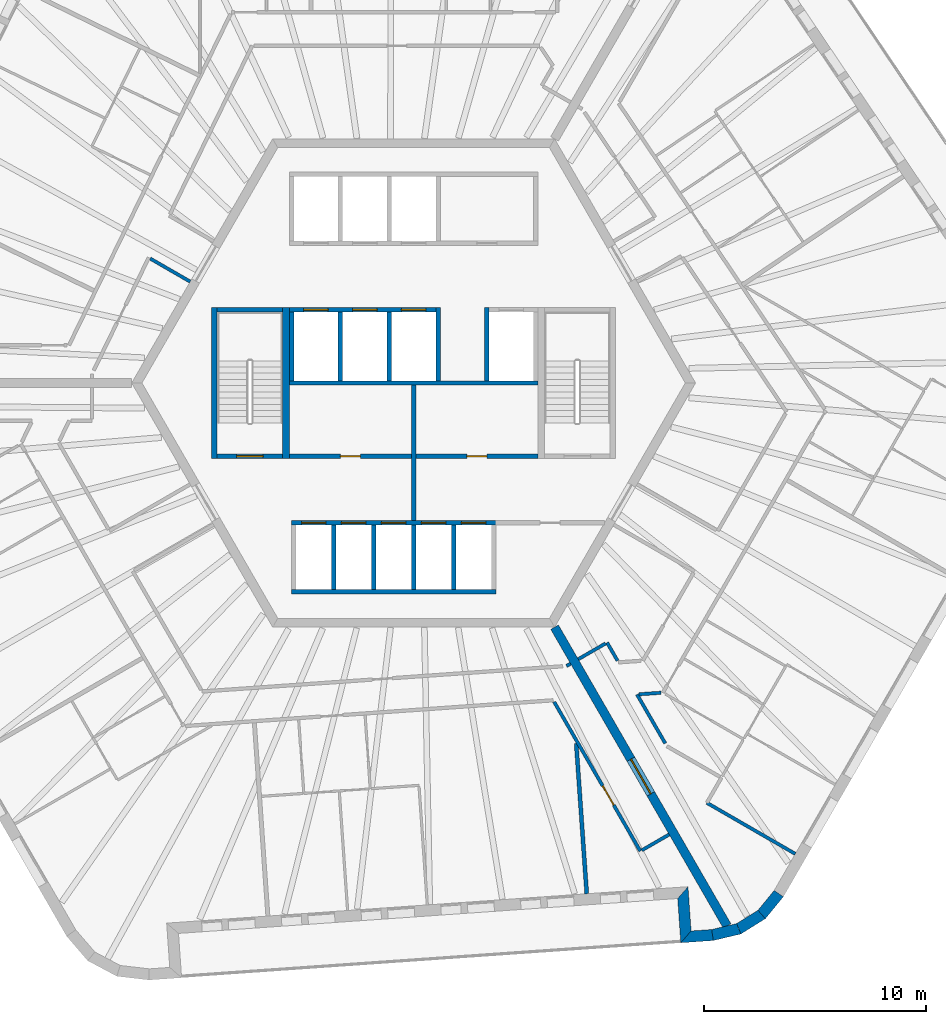
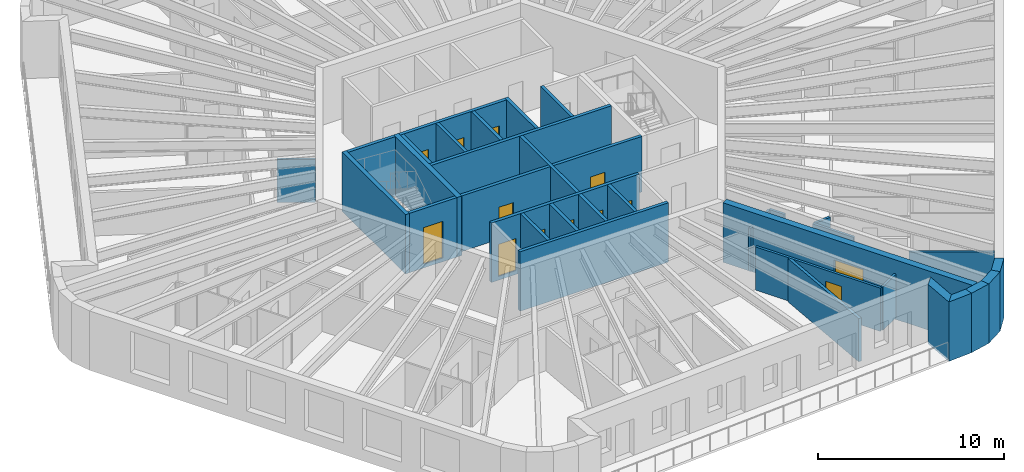
# One storey, part 5 of 12: 36 walls, 13 doors, 13 openings.
"""IFC4 building model written with IfcOpenShell, lengths in metres."""

from ifc_helpers import new_model, si_unit, direction, frame, frame_2d, origin, place, context, subcontext, project, spatial, polyline, rectangle, outline, extrude, material, layer, layer_set, type_object, element, fill, save


model = new_model("IFC4")

# Units and contexts
model_context = context("Model", 3, precision=1e-05, world=origin(), true_north=direction((0.0, 1.0)))
body_context = subcontext(model_context, "Body", "Model", "MODEL_VIEW")
ifc_project = project(units=[si_unit("LENGTHUNIT", "METRE"), si_unit("AREAUNIT", "SQUARE_METRE"), si_unit("VOLUMEUNIT", "CUBIC_METRE"), si_unit("PLANEANGLEUNIT", "RADIAN"), si_unit("MASSUNIT", "GRAM", prefix="KILO")], contexts=[model_context])

# Site, building, storey
site_placement = place(None, origin())
site = spatial("IfcSite", under=ifc_project, at=site_placement, CompositionType="ELEMENT")
building_placement = place(site_placement, origin())
building = spatial("IfcBuilding", under=site, at=building_placement, Name="Tarnside Tower", CompositionType="ELEMENT")
storey_placement = place(building_placement, frame((0.0, 0.0, 330.300048828125)))
storey = spatial("IfcBuildingStorey", under=building, at=storey_placement, Name="L80", CompositionType="ELEMENT", Elevation=330.300048828125)

# Wall, opening, door
ifc_material_1 = material(Name="Concrete C40/50", Category="concrete")
ifc_layer_1 = layer(ifc_material_1, 0.199951171875)
ifc_layer_set_1 = layer_set([ifc_layer_1], Name="Core room partition 200 C40/50")
wall_type_1 = type_object("IfcWallType", Name="Core room partition 200 C40/50", PredefinedType="PARTITIONING", material=ifc_layer_set_1)
wall_1_placement = place(storey_placement, frame((-5.60009765625, -3.300048828125, 0.0), z_axis=(0.0, 0.0, 1.0), x_axis=(1.0, 0.0, 0.0)))
wall_1 = element("IfcWall", 1, at=wall_1_placement, inside=storey, type_object=wall_type_1, Name="L80 core partition W3", PredefinedType="PARTITIONING", context=body_context, shape_type="SweptSolid", body=[
    extrude(rectangle(XDim=5.5, YDim=0.199951171875, at=frame_2d((2.75, 0.0))), origin(), (0.0, 0.0, 1.0), 3.64990234375),
])
opening_1_placement = place(wall_1_placement, frame((2.300048828125, 0.0, 0.0)))
opening_1 = element("IfcOpeningElement", 2, at=opening_1_placement, cuts=wall_1, Name="Opening CD-room", PredefinedType="OPENING", context=body_context, shape_type="SweptSolid", body=[
    extrude(rectangle(XDim=0.89990234375, YDim=2.10009765625, at=frame_2d((0.449951171875, 1.050048828125))), frame((0.0, 0.10986328125, 0.0), z_axis=(0.0, -1.0, 0.0), x_axis=(1.0, 0.0, 0.0)), (0.0, 0.0, 1.0), 0.219970703125),
])
ifc_material_2 = material(Name="Steel fire door", Category="steel")
door_type_1 = type_object("IfcDoorType", Name="Room door FD60 900x2100", OperationType="NOTDEFINED", PredefinedType="DOOR", material=ifc_material_2)
door_1_placement = place(opening_1_placement, origin())
door_1 = element("IfcDoor", 3, at=door_1_placement, inside=storey, type_object=door_type_1, Name="L80 core room door W3D", OperationType="SINGLE_SWING_LEFT", OverallHeight=2.10009765625, OverallWidth=0.89990234375, PredefinedType="DOOR", context=body_context, shape_type="SweptSolid", body=[
    extrude(rectangle(XDim=0.89990234375, YDim=2.10009765625, at=frame_2d((0.449951171875, 1.050048828125))), frame((0.0, 0.02490234375, 0.0), z_axis=(0.0, -1.0, 0.0), x_axis=(1.0, 0.0, 0.0)), (0.0, 0.0, 1.0), 0.050048828125),
])
fill(opening_1, door_1)

wall_2_placement = place(storey_placement, frame((0.10009765625, -3.300048828125, 0.0), z_axis=(0.0, 0.0, 1.0), x_axis=(1.0, 0.0, 0.0)))
wall_2 = element("IfcWall", 4, at=wall_2_placement, inside=storey, type_object=wall_type_1, Name="L80 core partition R3S1", PredefinedType="PARTITIONING", context=body_context, shape_type="SweptSolid", body=[
    extrude(rectangle(XDim=5.5, YDim=0.199951171875, at=frame_2d((2.75, 0.0))), origin(), (0.0, 0.0, 1.0), 3.64990234375),
])
opening_2_placement = place(wall_2_placement, frame((2.300048828125, 0.0, 0.0)))
opening_2 = element("IfcOpeningElement", 5, at=opening_2_placement, cuts=wall_2, Name="Opening CD-room", PredefinedType="OPENING", context=body_context, shape_type="SweptSolid", body=[
    extrude(rectangle(XDim=0.89990234375, YDim=2.10009765625, at=frame_2d((0.449951171875, 1.050048828125))), frame((0.0, 0.10986328125, 0.0), z_axis=(0.0, -1.0, 0.0), x_axis=(1.0, 0.0, 0.0)), (0.0, 0.0, 1.0), 0.219970703125),
])
door_2_placement = place(opening_2_placement, origin())
door_2 = element("IfcDoor", 6, at=door_2_placement, inside=storey, type_object=door_type_1, Name="L80 core room door SR1", OperationType="SINGLE_SWING_LEFT", OverallHeight=2.10009765625, OverallWidth=0.89990234375, PredefinedType="DOOR", context=body_context, shape_type="SweptSolid", body=[
    extrude(rectangle(XDim=0.89990234375, YDim=2.10009765625, at=frame_2d((0.449951171875, 1.050048828125))), frame((0.0, 0.02490234375, 0.0), z_axis=(0.0, -1.0, 0.0), x_axis=(1.0, 0.0, 0.0)), (0.0, 0.0, 1.0), 0.050048828125),
])
fill(opening_2, door_2)

# Wall
wall_3_placement = place(storey_placement, frame((0.0, -6.199951171875, 0.0), z_axis=(0.0, 0.0, 1.0), x_axis=(0.0, 1.0, 0.0)))
element("IfcWall", 7, at=wall_3_placement, inside=storey, type_object=wall_type_1, Name="L80 core partition X0", PredefinedType="PARTITIONING", context=body_context, shape_type="SweptSolid", body=[
    extrude(rectangle(XDim=6.099853515625, YDim=0.199951171875, at=frame_2d((3.0498046875, 0.0))), origin(), (0.0, 0.0, 1.0), 3.64990234375),
])

# Wall, opening, door
ifc_material_3 = material(Name="Concrete C60/75", Category="concrete")
ifc_layer_2 = layer(ifc_material_3, 0.39990234375)
ifc_layer_set_2 = layer_set([ifc_layer_2], Name="Core wall Z3 400 C60/75")
wall_type_2 = type_object("IfcWallType", Name="Core wall Z3 400 C60/75", PredefinedType="SHEAR", material=ifc_layer_set_2)
wall_4_placement = place(storey_placement, frame((6.350830078125, -11.0, -0.150146484375), z_axis=(0.0, 0.0, 1.0), x_axis=(0.499998894578, -0.866026041999, 0.0)))
wall_4 = element("IfcWall", 8, at=wall_4_placement, inside=storey, type_object=wall_type_2, Name="L80 spine wall 3", PredefinedType="SHEAR", context=body_context, shape_type="SweptSolid", body=[
    extrude(rectangle(XDim=15.54443359375, YDim=0.39990234375, at=frame_2d((7.772216796875, 0.0))), origin(), (0.0, 0.0, 1.0), 3.900146484375),
])
opening_3_placement = place(wall_4_placement, frame((6.872314453125, 0.0, 0.14990234375)))
opening_3 = element("IfcOpeningElement", 9, at=opening_3_placement, cuts=wall_4, Name="Opening CD-SPN", PredefinedType="OPENING", context=body_context, shape_type="SweptSolid", body=[
    extrude(rectangle(XDim=1.800048828125, YDim=2.39990234375, at=frame_2d((0.89990234375, 1.199951171875))), frame((0.0, 0.2099609375, 0.0), z_axis=(0.0, -1.0, 0.0), x_axis=(1.0, 0.0, 0.0)), (0.0, 0.0, 1.0), 0.419921875),
])
door_type_2 = type_object("IfcDoorType", Name="Spine passage double door FD60 1800x2400", OperationType="NOTDEFINED", PredefinedType="DOOR", material=ifc_material_2)
door_3_placement = place(opening_3_placement, origin())
door_3 = element("IfcDoor", 10, at=door_3_placement, inside=storey, type_object=door_type_2, Name="L80 spine passage door 3", OperationType="DOUBLE_DOOR_SINGLE_SWING", OverallHeight=2.39990234375, OverallWidth=1.800048828125, PredefinedType="DOOR", context=body_context, shape_type="SweptSolid", body=[
    extrude(rectangle(XDim=1.800048828125, YDim=2.39990234375, at=frame_2d((0.89990234375, 1.199951171875))), frame((0.0, 0.02490234375, 0.0), z_axis=(0.0, -1.0, 0.0), x_axis=(1.0, 0.0, 0.0)), (0.0, 0.0, 1.0), 0.050048828125),
])
fill(opening_3, door_3)

# Wall
ifc_material_4 = material(Name="Gypsum board partition on steel studs", Category="steel")
ifc_layer_3 = layer(ifc_material_4, 0.14990234375)
ifc_layer_set_3 = layer_set([ifc_layer_3], Name="Corridor wall 150 EI 60")
wall_type_3 = type_object("IfcWallType", Name="Corridor wall 150 EI 60", PredefinedType="PARTITIONING", material=ifc_layer_set_3)
wall_5_placement = place(storey_placement, frame((-11.868408203125, 5.6064453125, 0.0), z_axis=(0.0, 0.0, 1.0), x_axis=(0.866033244403, -0.499986419405, 0.0)))
element("IfcWall", 11, at=wall_5_placement, inside=storey, type_object=wall_type_3, Name="Corridor wall 26025", PredefinedType="PARTITIONING", context=body_context, shape_type="SweptSolid", body=[
    extrude(rectangle(XDim=2.08154296875, YDim=0.14990234375, at=frame_2d((1.040771484375, 0.0))), origin(), (0.0, 0.0, 1.0), 2.837646484375),
])

# Wall, opening, door
wall_6_placement = place(storey_placement, frame((6.33251953125, -14.3681640625, 0.0), z_axis=(0.0, 0.0, 1.0), x_axis=(0.499977396983, -0.866038453249, 0.0)))
wall_6 = element("IfcWall", 12, at=wall_6_placement, inside=storey, type_object=wall_type_3, Name="Corridor wall 26040", PredefinedType="PARTITIONING", context=body_context, shape_type="SweptSolid", body=[
    extrude(rectangle(XDim=7.764404296875, YDim=0.14990234375, at=frame_2d((3.88232421875, 0.0))), origin(), (0.0, 0.0, 1.0), 2.837646484375),
])
opening_4_placement = place(wall_6_placement, frame((4.363525390625, 0.0, 0.0)))
opening_4 = element("IfcOpeningElement", 13, at=opening_4_placement, cuts=wall_6, Name="Opening D-E1", PredefinedType="OPENING", context=body_context, shape_type="SweptSolid", body=[
    extrude(rectangle(XDim=1.0, YDim=2.10009765625, at=frame_2d((0.5, 1.050048828125))), frame((0.0, 0.0849609375, 0.0), z_axis=(0.0, -1.0, 0.0), x_axis=(1.0, 0.0, 0.0)), (0.0, 0.0, 1.0), 0.169921875),
])
ifc_material_5 = material(Name="Timber door leaf", Category="wood")
door_type_3 = type_object("IfcDoorType", Name="Unit entrance door 1000 FD30S", OperationType="NOTDEFINED", PredefinedType="DOOR", material=ifc_material_5)
door_4_placement = place(opening_4_placement, origin())
door_4 = element("IfcDoor", 14, at=door_4_placement, inside=storey, type_object=door_type_3, Name="Unit door 26039", OperationType="SINGLE_SWING_RIGHT", OverallHeight=2.10009765625, OverallWidth=1.0, PredefinedType="DOOR", context=body_context, shape_type="SweptSolid", body=[
    extrude(rectangle(XDim=1.0, YDim=2.10009765625, at=frame_2d((0.5, 1.050048828125))), frame((0.0, 0.02490234375, 0.0), z_axis=(0.0, -1.0, 0.0), x_axis=(1.0, 0.0, 0.0)), (0.0, 0.0, 1.0), 0.050048828125),
])
fill(opening_4, door_4)

# Walls
wall_7_placement = place(storey_placement, frame((10.27978515625, -21.054931640625, 0.0), z_axis=(0.0, 0.0, 1.0), x_axis=(0.866020080793, 0.500009219579, 0.0)))
element("IfcWall", 15, at=wall_7_placement, inside=storey, type_object=wall_type_3, Name="Corridor wall 26044", PredefinedType="PARTITIONING", context=body_context, shape_type="SweptSolid", body=[
    extrude(rectangle(XDim=1.4248046875, YDim=0.14990234375, at=frame_2d((0.71240234375, 0.0))), origin(), (0.0, 0.0, 1.0), 2.837646484375),
])
wall_8_placement = place(storey_placement, frame((7.070068359375, -12.6455078125, 0.0), z_axis=(0.0, 0.0, 1.0), x_axis=(-0.866378867349, -0.499387282788, 0.0)))
element("IfcWall", 16, at=wall_8_placement, inside=storey, type_object=wall_type_3, Name="Corridor wall 26050", PredefinedType="PARTITIONING", context=body_context, shape_type="SweptSolid", body=[
    extrude(rectangle(XDim=0.210205078125, YDim=0.14990234375, at=frame_2d((0.10498046875, 0.0))), origin(), (0.0, 0.0, 1.0), 2.837646484375),
])
wall_9_placement = place(storey_placement, frame((17.196044921875, -21.215576171875, 0.0), z_axis=(0.0, 0.0, 1.0), x_axis=(-0.866032643562, 0.499987460128, 0.0)))
element("IfcWall", 17, at=wall_9_placement, inside=storey, type_object=wall_type_3, Name="Corridor wall 26058", PredefinedType="PARTITIONING", context=body_context, shape_type="SweptSolid", body=[
    extrude(rectangle(XDim=4.5986328125, YDim=0.14990234375, at=frame_2d((2.29931640625, 0.0))), origin(), (0.0, 0.0, 1.0), 2.837646484375),
])
wall_10_placement = place(storey_placement, frame((11.336669921875, -16.235595703125, 0.0), z_axis=(0.0, 0.0, 1.0), x_axis=(-0.500029781311, 0.866008208854, 0.0)))
element("IfcWall", 18, at=wall_10_placement, inside=storey, type_object=wall_type_3, Name="Corridor wall 26060", PredefinedType="PARTITIONING", context=body_context, shape_type="SweptSolid", body=[
    extrude(rectangle(XDim=2.544189453125, YDim=0.14990234375, at=frame_2d((1.27197265625, 0.0))), origin(), (0.0, 0.0, 1.0), 2.837646484375),
])
wall_11_placement = place(storey_placement, frame((10.147705078125, -14.0263671875, 0.0), z_axis=(0.0, 0.0, 1.0), x_axis=(0.99756238904, 0.069780226228, 0.0)))
element("IfcWall", 19, at=wall_11_placement, inside=storey, type_object=wall_type_3, Name="Corridor wall 26061", PredefinedType="PARTITIONING", context=body_context, shape_type="SweptSolid", body=[
    extrude(rectangle(XDim=0.99365234375, YDim=0.14990234375, at=frame_2d((0.496826171875, 0.0))), origin(), (0.0, 0.0, 1.0), 2.837646484375),
])
wall_12_placement = place(storey_placement, frame((9.188232421875, -12.5146484375, 0.0), z_axis=(0.0, 0.0, 1.0), x_axis=(-0.499998034377, 0.866026538634, 0.0)))
element("IfcWall", 20, at=wall_12_placement, inside=storey, type_object=wall_type_3, Name="Corridor wall 26075", PredefinedType="PARTITIONING", context=body_context, shape_type="SweptSolid", body=[
    extrude(rectangle(XDim=0.94580078125, YDim=0.14990234375, at=frame_2d((0.472900390625, 0.0))), origin(), (0.0, 0.0, 1.0), 2.837646484375),
])
wall_13_placement = place(storey_placement, frame((8.650390625, -11.733154296875, 0.0), z_axis=(0.0, 0.0, 1.0), x_axis=(-0.866062911188, -0.499935029643, 0.0)))
element("IfcWall", 21, at=wall_13_placement, inside=storey, type_object=wall_type_3, Name="Corridor wall 26076", PredefinedType="PARTITIONING", context=body_context, shape_type="SweptSolid", body=[
    extrude(rectangle(XDim=1.425048828125, YDim=0.14990234375, at=frame_2d((0.71240234375, 0.0))), origin(), (0.0, 0.0, 1.0), 2.837646484375),
])
ifc_layer_4 = layer(ifc_material_4, 0.179931640625)
ifc_layer_set_4 = layer_set([ifc_layer_4], Name="Demising wall 180 EI 60")
wall_type_4 = type_object("IfcWallType", Name="Demising wall 180 EI 60", PredefinedType="PARTITIONING", material=ifc_layer_set_4)
wall_14_placement = place(storey_placement, frame((7.799560546875, -23.011962890625, 0.0), z_axis=(0.0, 0.0, 1.0), x_axis=(-0.069757205717, 0.997563999075, 0.0)))
element("IfcWall", 22, at=wall_14_placement, inside=storey, type_object=wall_type_4, Name="Demising wall 26131", PredefinedType="PARTITIONING", context=body_context, shape_type="SweptSolid", body=[
    extrude(rectangle(XDim=6.789794921875, YDim=0.179931640625, at=frame_2d((3.39501953125, 0.0))), origin(), (0.0, 0.0, 1.0), 2.837646484375),
])

# Wall, openings, doors
ifc_layer_5 = layer(ifc_material_1, 0.199951171875)
ifc_layer_set_5 = layer_set([ifc_layer_5], Name="Lift shaft wall 200 C40/50")
wall_type_5 = type_object("IfcWallType", Name="Lift shaft wall 200 C40/50", PredefinedType="SHEAR", material=ifc_layer_set_5)
wall_15_placement = place(storey_placement, frame((-5.60009765625, 3.300048828125, -0.25), z_axis=(0.0, 0.0, 1.0), x_axis=(1.0, 0.0, 0.0)))
wall_15 = element("IfcWall", 23, at=wall_15_placement, inside=storey, type_object=wall_type_5, Name="L80 lift shaft front wall R2", PredefinedType="SHEAR", context=body_context, shape_type="SweptSolid", body=[
    extrude(rectangle(XDim=6.60009765625, YDim=0.199951171875, at=frame_2d((3.300048828125, 0.0))), origin(), (0.0, 0.0, 1.0), 3.89990234375),
])
opening_5_placement = place(wall_15_placement, frame((0.64990234375, 0.0, 0.25)))
opening_5 = element("IfcOpeningElement", 24, at=opening_5_placement, cuts=wall_15, Name="Opening LD", PredefinedType="OPENING", context=body_context, shape_type="SweptSolid", body=[
    extrude(rectangle(XDim=1.10009765625, YDim=2.10009765625, at=frame_2d((0.550048828125, 1.050048828125))), frame((0.0, 0.10986328125, 0.0), z_axis=(0.0, -1.0, 0.0), x_axis=(1.0, 0.0, 0.0)), (0.0, 0.0, 1.0), 0.219970703125),
])
opening_6_placement = place(wall_15_placement, frame((2.85009765625, 0.0, 0.25)))
opening_6 = element("IfcOpeningElement", 25, at=opening_6_placement, cuts=wall_15, Name="Opening LD", PredefinedType="OPENING", context=body_context, shape_type="SweptSolid", body=[
    extrude(rectangle(XDim=1.10009765625, YDim=2.10009765625, at=frame_2d((0.550048828125, 1.050048828125))), frame((0.0, 0.10986328125, 0.0), z_axis=(0.0, -1.0, 0.0), x_axis=(1.0, 0.0, 0.0)), (0.0, 0.0, 1.0), 0.219970703125),
])
opening_7_placement = place(wall_15_placement, frame((5.050048828125, 0.0, 0.25)))
opening_7 = element("IfcOpeningElement", 26, at=opening_7_placement, cuts=wall_15, Name="Opening LD", PredefinedType="OPENING", context=body_context, shape_type="SweptSolid", body=[
    extrude(rectangle(XDim=1.10009765625, YDim=2.10009765625, at=frame_2d((0.550048828125, 1.050048828125))), frame((0.0, 0.10986328125, 0.0), z_axis=(0.0, -1.0, 0.0), x_axis=(1.0, 0.0, 0.0)), (0.0, 0.0, 1.0), 0.219970703125),
])
ifc_material_6 = material(Name="Stainless steel", Category="steel")
door_type_4 = type_object("IfcDoorType", Name="Lift landing door 1100x2100", OperationType="NOTDEFINED", PredefinedType="DOOR", material=ifc_material_6)
door_5_placement = place(opening_5_placement, origin())
door_5 = element("IfcDoor", 27, at=door_5_placement, inside=storey, type_object=door_type_4, Name="High-rise lift 4 landing door L80", OperationType="SLIDING_TO_LEFT", OverallHeight=2.10009765625, OverallWidth=1.10009765625, PredefinedType="DOOR", context=body_context, shape_type="SweptSolid", body=[
    extrude(rectangle(XDim=1.10009765625, YDim=2.10009765625, at=frame_2d((0.550048828125, 1.050048828125))), frame((0.0, 0.02490234375, 0.0), z_axis=(0.0, -1.0, 0.0), x_axis=(1.0, 0.0, 0.0)), (0.0, 0.0, 1.0), 0.050048828125),
])
fill(opening_5, door_5)
door_6_placement = place(opening_6_placement, origin())
door_6 = element("IfcDoor", 28, at=door_6_placement, inside=storey, type_object=door_type_4, Name="High-rise lift 5 landing door L80", OperationType="SLIDING_TO_LEFT", OverallHeight=2.10009765625, OverallWidth=1.10009765625, PredefinedType="DOOR", context=body_context, shape_type="SweptSolid", body=[
    extrude(rectangle(XDim=1.10009765625, YDim=2.10009765625, at=frame_2d((0.550048828125, 1.050048828125))), frame((0.0, 0.02490234375, 0.0), z_axis=(0.0, -1.0, 0.0), x_axis=(1.0, 0.0, 0.0)), (0.0, 0.0, 1.0), 0.050048828125),
])
fill(opening_6, door_6)
door_7_placement = place(opening_7_placement, origin())
door_7 = element("IfcDoor", 29, at=door_7_placement, inside=storey, type_object=door_type_4, Name="High-rise lift 6 landing door L80", OperationType="SLIDING_TO_LEFT", OverallHeight=2.10009765625, OverallWidth=1.10009765625, PredefinedType="DOOR", context=body_context, shape_type="SweptSolid", body=[
    extrude(rectangle(XDim=1.10009765625, YDim=2.10009765625, at=frame_2d((0.550048828125, 1.050048828125))), frame((0.0, 0.02490234375, 0.0), z_axis=(0.0, -1.0, 0.0), x_axis=(1.0, 0.0, 0.0)), (0.0, 0.0, 1.0), 0.050048828125),
])
fill(opening_7, door_7)

# Walls
wall_16_placement = place(storey_placement, frame((-5.60009765625, 0.0, -0.25), z_axis=(0.0, 0.0, 1.0), x_axis=(1.0, 0.0, 0.0)))
element("IfcWall", 30, at=wall_16_placement, inside=storey, type_object=wall_type_5, Name="L80 lift shaft back wall R2", PredefinedType="SHEAR", context=body_context, shape_type="SweptSolid", body=[
    extrude(rectangle(XDim=11.2001953125, YDim=0.199951171875, at=frame_2d((5.60009765625, 0.0))), origin(), (0.0, 0.0, 1.0), 3.89990234375),
])
for number, where, z_axis, x_axis, name in (
    (31, (-5.5, 0.10009765625, -0.25), (0.0, 0.0, 1.0), (0.0, 1.0, 0.0), "L80 lift shaft partition R21"),
    (32, (-3.300048828125, 0.10009765625, -0.25), (0.0, 0.0, 1.0), (0.0, 1.0, 0.0), "L80 lift shaft partition R22"),
    (33, (-1.10009765625, 0.10009765625, -0.25), (0.0, 0.0, 1.0), (0.0, 1.0, 0.0), "L80 lift shaft partition R23"),
):
    element("IfcWall", number, at=place(storey_placement, frame(where, z_axis=z_axis, x_axis=x_axis)), inside=storey, type_object=wall_type_5, Name=name, PredefinedType="SHEAR", context=body_context, shape_type="SweptSolid", body=[
        extrude(rectangle(XDim=3.099853515625, YDim=0.199951171875, at=frame_2d((1.5498046875, 0.0))), origin(), (0.0, 0.0, 1.0), 3.89990234375),
    ])
for number, where, z_axis, x_axis, name in (
    (34, (1.10009765625, 0.10009765625, -0.25), (0.0, 0.0, 1.0), (0.0, 1.0, 0.0), "L80 lift shaft partition R24"),
    (35, (3.300048828125, 0.10009765625, -0.25), (0.0, 0.0, 1.0), (0.0, 1.0, 0.0), "L80 lift shaft partition R25"),
):
    element("IfcWall", number, at=place(storey_placement, frame(where, z_axis=z_axis, x_axis=x_axis)), inside=storey, type_object=wall_type_5, Name=name, PredefinedType="SHEAR", context=body_context, shape_type="SweptSolid", body=[
        extrude(rectangle(XDim=3.2998046875, YDim=0.199951171875, at=frame_2d((1.64990234375, 0.0))), origin(), (0.0, 0.0, 1.0), 3.89990234375),
    ])

# Wall, openings, doors
wall_17_placement = place(storey_placement, frame((-5.5, -6.300048828125, -0.25), z_axis=(0.0, 0.0, 1.0), x_axis=(1.0, 0.0, 0.0)))
wall_17 = element("IfcWall", 36, at=wall_17_placement, inside=storey, type_object=wall_type_5, Name="L80 lift shaft front wall R4", PredefinedType="SHEAR", context=body_context, shape_type="SweptSolid", body=[
    extrude(rectangle(XDim=9.199951171875, YDim=0.199951171875, at=frame_2d((4.60009765625, 0.0))), origin(), (0.0, 0.0, 1.0), 3.89990234375),
])
opening_8_placement = place(wall_17_placement, frame((0.449951171875, 0.0, 0.25)))
opening_8 = element("IfcOpeningElement", 37, at=opening_8_placement, cuts=wall_17, Name="Opening LDF", PredefinedType="OPENING", context=body_context, shape_type="SweptSolid", body=[
    extrude(rectangle(XDim=1.10009765625, YDim=2.10009765625, at=frame_2d((0.550048828125, 1.050048828125))), frame((0.0, 0.10986328125, 0.0), z_axis=(0.0, -1.0, 0.0), x_axis=(1.0, 0.0, 0.0)), (0.0, 0.0, 1.0), 0.219970703125),
])
opening_9_placement = place(wall_17_placement, frame((2.25, 0.0, 0.25)))
opening_9 = element("IfcOpeningElement", 38, at=opening_9_placement, cuts=wall_17, Name="Opening LDF", PredefinedType="OPENING", context=body_context, shape_type="SweptSolid", body=[
    extrude(rectangle(XDim=1.10009765625, YDim=2.10009765625, at=frame_2d((0.550048828125, 1.050048828125))), frame((0.0, 0.10986328125, 0.0), z_axis=(0.0, -1.0, 0.0), x_axis=(1.0, 0.0, 0.0)), (0.0, 0.0, 1.0), 0.219970703125),
])
opening_10_placement = place(wall_17_placement, frame((4.050048828125, 0.0, 0.25)))
opening_10 = element("IfcOpeningElement", 39, at=opening_10_placement, cuts=wall_17, Name="Opening LDF", PredefinedType="OPENING", context=body_context, shape_type="SweptSolid", body=[
    extrude(rectangle(XDim=1.10009765625, YDim=2.10009765625, at=frame_2d((0.550048828125, 1.050048828125))), frame((0.0, 0.10986328125, 0.0), z_axis=(0.0, -1.0, 0.0), x_axis=(1.0, 0.0, 0.0)), (0.0, 0.0, 1.0), 0.219970703125),
])
opening_11_placement = place(wall_17_placement, frame((5.85009765625, 0.0, 0.25)))
opening_11 = element("IfcOpeningElement", 40, at=opening_11_placement, cuts=wall_17, Name="Opening LDF", PredefinedType="OPENING", context=body_context, shape_type="SweptSolid", body=[
    extrude(rectangle(XDim=1.10009765625, YDim=2.10009765625, at=frame_2d((0.550048828125, 1.050048828125))), frame((0.0, 0.10986328125, 0.0), z_axis=(0.0, -1.0, 0.0), x_axis=(1.0, 0.0, 0.0)), (0.0, 0.0, 1.0), 0.219970703125),
])
opening_12_placement = place(wall_17_placement, frame((7.64990234375, 0.0, 0.25)))
opening_12 = element("IfcOpeningElement", 41, at=opening_12_placement, cuts=wall_17, Name="Opening LDF", PredefinedType="OPENING", context=body_context, shape_type="SweptSolid", body=[
    extrude(rectangle(XDim=1.10009765625, YDim=2.10009765625, at=frame_2d((0.550048828125, 1.050048828125))), frame((0.0, 0.10986328125, 0.0), z_axis=(0.0, -1.0, 0.0), x_axis=(1.0, 0.0, 0.0)), (0.0, 0.0, 1.0), 0.219970703125),
])
door_type_5 = type_object("IfcDoorType", Name="Lift landing door 1100x2100 EI 120", OperationType="NOTDEFINED", PredefinedType="DOOR", material=ifc_material_6)
door_8_placement = place(opening_8_placement, origin())
door_8 = element("IfcDoor", 42, at=door_8_placement, inside=storey, type_object=door_type_5, Name="Firefighting lift 1 landing door L80", OperationType="SLIDING_TO_LEFT", OverallHeight=2.10009765625, OverallWidth=1.10009765625, PredefinedType="DOOR", context=body_context, shape_type="SweptSolid", body=[
    extrude(rectangle(XDim=1.10009765625, YDim=2.10009765625, at=frame_2d((0.550048828125, 1.050048828125))), frame((0.0, 0.02490234375, 0.0), z_axis=(0.0, -1.0, 0.0), x_axis=(1.0, 0.0, 0.0)), (0.0, 0.0, 1.0), 0.050048828125),
])
fill(opening_8, door_8)
door_9_placement = place(opening_9_placement, origin())
door_9 = element("IfcDoor", 43, at=door_9_placement, inside=storey, type_object=door_type_5, Name="Firefighting lift 2 landing door L80", OperationType="SLIDING_TO_LEFT", OverallHeight=2.10009765625, OverallWidth=1.10009765625, PredefinedType="DOOR", context=body_context, shape_type="SweptSolid", body=[
    extrude(rectangle(XDim=1.10009765625, YDim=2.10009765625, at=frame_2d((0.550048828125, 1.050048828125))), frame((0.0, 0.02490234375, 0.0), z_axis=(0.0, -1.0, 0.0), x_axis=(1.0, 0.0, 0.0)), (0.0, 0.0, 1.0), 0.050048828125),
])
fill(opening_9, door_9)
door_10_placement = place(opening_10_placement, origin())
door_10 = element("IfcDoor", 44, at=door_10_placement, inside=storey, type_object=door_type_5, Name="Firefighting lift 3 landing door L80", OperationType="SLIDING_TO_LEFT", OverallHeight=2.10009765625, OverallWidth=1.10009765625, PredefinedType="DOOR", context=body_context, shape_type="SweptSolid", body=[
    extrude(rectangle(XDim=1.10009765625, YDim=2.10009765625, at=frame_2d((0.550048828125, 1.050048828125))), frame((0.0, 0.02490234375, 0.0), z_axis=(0.0, -1.0, 0.0), x_axis=(1.0, 0.0, 0.0)), (0.0, 0.0, 1.0), 0.050048828125),
])
fill(opening_10, door_10)
door_11_placement = place(opening_11_placement, origin())
door_11 = element("IfcDoor", 45, at=door_11_placement, inside=storey, type_object=door_type_5, Name="Firefighting lift 4 landing door L80", OperationType="SLIDING_TO_LEFT", OverallHeight=2.10009765625, OverallWidth=1.10009765625, PredefinedType="DOOR", context=body_context, shape_type="SweptSolid", body=[
    extrude(rectangle(XDim=1.10009765625, YDim=2.10009765625, at=frame_2d((0.550048828125, 1.050048828125))), frame((0.0, 0.02490234375, 0.0), z_axis=(0.0, -1.0, 0.0), x_axis=(1.0, 0.0, 0.0)), (0.0, 0.0, 1.0), 0.050048828125),
])
fill(opening_11, door_11)
door_12_placement = place(opening_12_placement, origin())
door_12 = element("IfcDoor", 46, at=door_12_placement, inside=storey, type_object=door_type_5, Name="Firefighting lift 5 landing door L80", OperationType="SLIDING_TO_LEFT", OverallHeight=2.10009765625, OverallWidth=1.10009765625, PredefinedType="DOOR", context=body_context, shape_type="SweptSolid", body=[
    extrude(rectangle(XDim=1.10009765625, YDim=2.10009765625, at=frame_2d((0.550048828125, 1.050048828125))), frame((0.0, 0.02490234375, 0.0), z_axis=(0.0, -1.0, 0.0), x_axis=(1.0, 0.0, 0.0)), (0.0, 0.0, 1.0), 0.050048828125),
])
fill(opening_12, door_12)

# Walls
wall_18_placement = place(storey_placement, frame((-5.5, -9.39990234375, -0.25), z_axis=(0.0, 0.0, 1.0), x_axis=(1.0, 0.0, 0.0)))
element("IfcWall", 47, at=wall_18_placement, inside=storey, type_object=wall_type_5, Name="L80 lift shaft back wall R4", PredefinedType="SHEAR", context=body_context, shape_type="SweptSolid", body=[
    extrude(rectangle(XDim=9.199951171875, YDim=0.199951171875, at=frame_2d((4.60009765625, 0.0))), origin(), (0.0, 0.0, 1.0), 3.89990234375),
])
for number, where, z_axis, x_axis, name in (
    (48, (-3.60009765625, -9.300048828125, -0.25), (0.0, 0.0, 1.0), (0.0, 1.0, 0.0), "L80 lift shaft partition R42"),
    (49, (-1.800048828125, -9.300048828125, -0.25), (0.0, 0.0, 1.0), (0.0, 1.0, 0.0), "L80 lift shaft partition R43"),
    (50, (0.0, -9.300048828125, -0.25), (0.0, 0.0, 1.0), (0.0, 1.0, 0.0), "L80 lift shaft partition R44"),
    (51, (1.800048828125, -9.300048828125, -0.25), (0.0, 0.0, 1.0), (0.0, 1.0, 0.0), "L80 lift shaft partition R45"),
):
    element("IfcWall", number, at=place(storey_placement, frame(where, z_axis=z_axis, x_axis=x_axis)), inside=storey, type_object=wall_type_5, Name=name, PredefinedType="SHEAR", context=body_context, shape_type="SweptSolid", body=[
        extrude(rectangle(XDim=2.900146484375, YDim=0.199951171875, at=frame_2d((1.4501953125, 0.0))), origin(), (0.0, 0.0, 1.0), 3.89990234375),
    ])
wall_19_placement = place(storey_placement, frame((-8.85009765625, 3.300048828125, -0.25), z_axis=(0.0, 0.0, 1.0), x_axis=(1.0, 0.0, 0.0)))
element("IfcWall", 52, at=wall_19_placement, inside=storey, type_object=wall_type_5, Name="L80 stair 2 enclosure cap wall n", PredefinedType="SHEAR", context=body_context, shape_type="SweptSolid", body=[
    extrude(rectangle(XDim=2.9501953125, YDim=0.199951171875, at=frame_2d((1.47509765625, 0.0))), origin(), (0.0, 0.0, 1.0), 3.89990234375),
])

# Wall, opening, door
wall_20_placement = place(storey_placement, frame((-8.85009765625, -3.300048828125, -0.25), z_axis=(0.0, 0.0, 1.0), x_axis=(1.0, 0.0, 0.0)))
wall_20 = element("IfcWall", 53, at=wall_20_placement, inside=storey, type_object=wall_type_5, Name="L80 stair 2 enclosure cap wall s", PredefinedType="SHEAR", context=body_context, shape_type="SweptSolid", body=[
    extrude(rectangle(XDim=2.9501953125, YDim=0.199951171875, at=frame_2d((1.47509765625, 0.0))), origin(), (0.0, 0.0, 1.0), 3.89990234375),
])
opening_13_placement = place(wall_20_placement, frame((0.875, 0.0, 0.25)))
opening_13 = element("IfcOpeningElement", 54, at=opening_13_placement, cuts=wall_20, Name="Opening CD-STR", PredefinedType="OPENING", context=body_context, shape_type="SweptSolid", body=[
    extrude(rectangle(XDim=1.199951171875, YDim=2.39990234375, at=frame_2d((0.60009765625, 1.199951171875))), frame((0.0, 0.10986328125, 0.0), z_axis=(0.0, -1.0, 0.0), x_axis=(1.0, 0.0, 0.0)), (0.0, 0.0, 1.0), 0.219970703125),
])
door_type_6 = type_object("IfcDoorType", Name="Stair door FD60S 1200x2400", OperationType="NOTDEFINED", PredefinedType="DOOR", material=ifc_material_2)
door_13_placement = place(opening_13_placement, origin())
door_13 = element("IfcDoor", 55, at=door_13_placement, inside=storey, type_object=door_type_6, Name="L80 stair 2 door", OperationType="SINGLE_SWING_LEFT", OverallHeight=2.39990234375, OverallWidth=1.199951171875, PredefinedType="DOOR", context=body_context, shape_type="SweptSolid", body=[
    extrude(rectangle(XDim=1.199951171875, YDim=2.39990234375, at=frame_2d((0.60009765625, 1.199951171875))), frame((0.0, 0.02490234375, 0.0), z_axis=(0.0, -1.0, 0.0), x_axis=(1.0, 0.0, 0.0)), (0.0, 0.0, 1.0), 0.050048828125),
])
fill(opening_13, door_13)

# Walls
ifc_material_7 = material(Name="Dark zinc cladding")
ifc_layer_6 = layer(ifc_material_7, 0.10205078125)
ifc_material_8 = material(Name="Concrete C60/75 precast", Category="concrete")
ifc_layer_7 = layer(ifc_material_8, 0.298095703125)
ifc_material_9 = material(Name="Mineral wool insulation")
ifc_layer_8 = layer(ifc_material_9, 0.10009765625)
ifc_layer_set_6 = layer_set([ifc_layer_6, ifc_layer_7, ifc_layer_8], Name="Loggia wall 500 zinc faced")
wall_type_6 = type_object("IfcWallType", Name="Loggia wall 500 zinc faced", PredefinedType="SOLIDWALL", material=ifc_layer_set_6)
wall_21_placement = place(storey_placement, frame((12.128662109375, -22.9599609375, -0.150146484375), z_axis=(0.0, 0.0, 1.0), x_axis=(0.069824268692, -0.99755930726, 0.0)))
element("IfcWall", 56, at=wall_21_placement, inside=storey, type_object=wall_type_6, Name="Tube wall L80 F4 return 19", PredefinedType="SOLIDWALL", context=body_context, shape_type="SweptSolid", body=[
    extrude(outline(polyline([(0.25, -0.25), (2.25, -0.25), (1.75, 0.25), (-0.25, 0.25), (0.25, -0.25)])), origin(), (0.0, 0.0, 1.0), 3.900146484375),
])
wall_22_placement = place(storey_placement, frame((12.268310546875, -24.955078125, -0.150146484375), z_axis=(0.0, 0.0, 1.0), x_axis=(0.997561942506, 0.06978660948, 0.0)))
element("IfcWall", 57, at=wall_22_placement, inside=storey, type_object=wall_type_6, Name="Tube wall L80 F4 stub 20", PredefinedType="SOLIDWALL", context=body_context, shape_type="SweptSolid", body=[
    extrude(outline(polyline([(-0.25, -0.25), (1.220458984375, -0.25), (1.179443359375, 0.25), (0.25, 0.25), (-0.25, -0.25)])), origin(), (0.0, 0.0, 1.0), 3.900146484375),
])
ifc_layer_9 = layer(ifc_material_1, 0.25)
ifc_layer_set_7 = layer_set([ifc_layer_9], Name="Stair enclosure wall 250 C40/50")
wall_type_7 = type_object("IfcWallType", Name="Stair enclosure wall 250 C40/50", PredefinedType="SHEAR", material=ifc_layer_set_7)
wall_23_placement = place(storey_placement, frame((-8.97509765625, -3.39990234375, -0.25), z_axis=(0.0, 0.0, 1.0), x_axis=(0.0, 1.0, 0.0)))
element("IfcWall", 58, at=wall_23_placement, inside=storey, type_object=wall_type_7, Name="L80 stair 2 enclosure wall outer", PredefinedType="SHEAR", context=body_context, shape_type="SweptSolid", body=[
    extrude(rectangle(XDim=6.7998046875, YDim=0.25, at=frame_2d((3.39990234375, 0.0))), origin(), (0.0, 0.0, 1.0), 3.89990234375),
])
ifc_layer_10 = layer(ifc_material_1, 0.300048828125)
ifc_layer_set_8 = layer_set([ifc_layer_10], Name="Stair enclosure wall 300 C40/50")
wall_type_8 = type_object("IfcWallType", Name="Stair enclosure wall 300 C40/50", PredefinedType="SHEAR", material=ifc_layer_set_8)
wall_24_placement = place(storey_placement, frame((-5.75, -3.39990234375, -0.25), z_axis=(0.0, 0.0, 1.0), x_axis=(0.0, 1.0, 0.0)))
element("IfcWall", 59, at=wall_24_placement, inside=storey, type_object=wall_type_8, Name="L80 stair 2 enclosure wall inner", PredefinedType="SHEAR", context=body_context, shape_type="SweptSolid", body=[
    extrude(rectangle(XDim=6.7998046875, YDim=0.300048828125, at=frame_2d((3.39990234375, 0.0))), origin(), (0.0, 0.0, 1.0), 3.89990234375),
])
ifc_material_10 = material(Name="Facing brick", Category="masonry")
ifc_layer_11 = layer(ifc_material_10, 0.10205078125)
ifc_layer_12 = layer(ifc_material_8, 0.298095703125)
ifc_layer_13 = layer(ifc_material_9, 0.10009765625)
ifc_layer_set_9 = layer_set([ifc_layer_11, ifc_layer_12, ifc_layer_13], Name="Tube wall 500 brick faced")
wall_type_9 = type_object("IfcWallType", Name="Tube wall 500 brick faced", PredefinedType="SOLIDWALL", material=ifc_layer_set_9)
wall_25_placement = place(storey_placement, frame((13.46533203125, -24.871337890625, -0.150146484375), z_axis=(0.0, 0.0, 1.0), x_axis=(0.973044740285, 0.230616420501, 0.0)))
element("IfcWall", 60, at=wall_25_placement, inside=storey, type_object=wall_type_9, Name="Tube wall L80 F4 chord 21", PredefinedType="SOLIDWALL", context=body_context, shape_type="SweptSolid", body=[
    extrude(outline(polyline([(-0.0205078125, -0.25), (1.25732421875, -0.25), (1.17529296875, 0.25), (0.0205078125, 0.25), (-0.0205078125, -0.25)])), origin(), (0.0, 0.0, 1.0), 3.900146484375),
])
wall_26_placement = place(storey_placement, frame((14.64892578125, -24.5908203125, -0.150146484375), z_axis=(0.0, 0.0, 1.0), x_axis=(0.848054682072, 0.529908724419, 0.0)))
element("IfcWall", 61, at=wall_26_placement, inside=storey, type_object=wall_type_9, Name="Tube wall L80 F4 chord 22", PredefinedType="SOLIDWALL", context=body_context, shape_type="SweptSolid", body=[
    extrude(outline(polyline([(-0.041015625, -0.25), (1.25732421875, -0.25), (1.17529296875, 0.25), (0.041015625, 0.25), (-0.041015625, -0.25)])), origin(), (0.0, 0.0, 1.0), 3.900146484375),
])
wall_27_placement = place(storey_placement, frame((15.680419921875, -23.9462890625, -0.150146484375), z_axis=(0.0, 0.0, 1.0), x_axis=(0.633805934167, 0.773492105852, 0.0)))
element("IfcWall", 62, at=wall_27_placement, inside=storey, type_object=wall_type_9, Name="Tube wall L80 F4 chord 23", PredefinedType="SOLIDWALL", context=body_context, shape_type="SweptSolid", body=[
    extrude(outline(polyline([(-0.041015625, -0.25), (1.237060546875, -0.25), (1.196044921875, 0.25), (0.041015625, 0.25), (-0.041015625, -0.25)])), origin(), (0.0, 0.0, 1.0), 3.900146484375),
])

save(model, "model.ifc")
